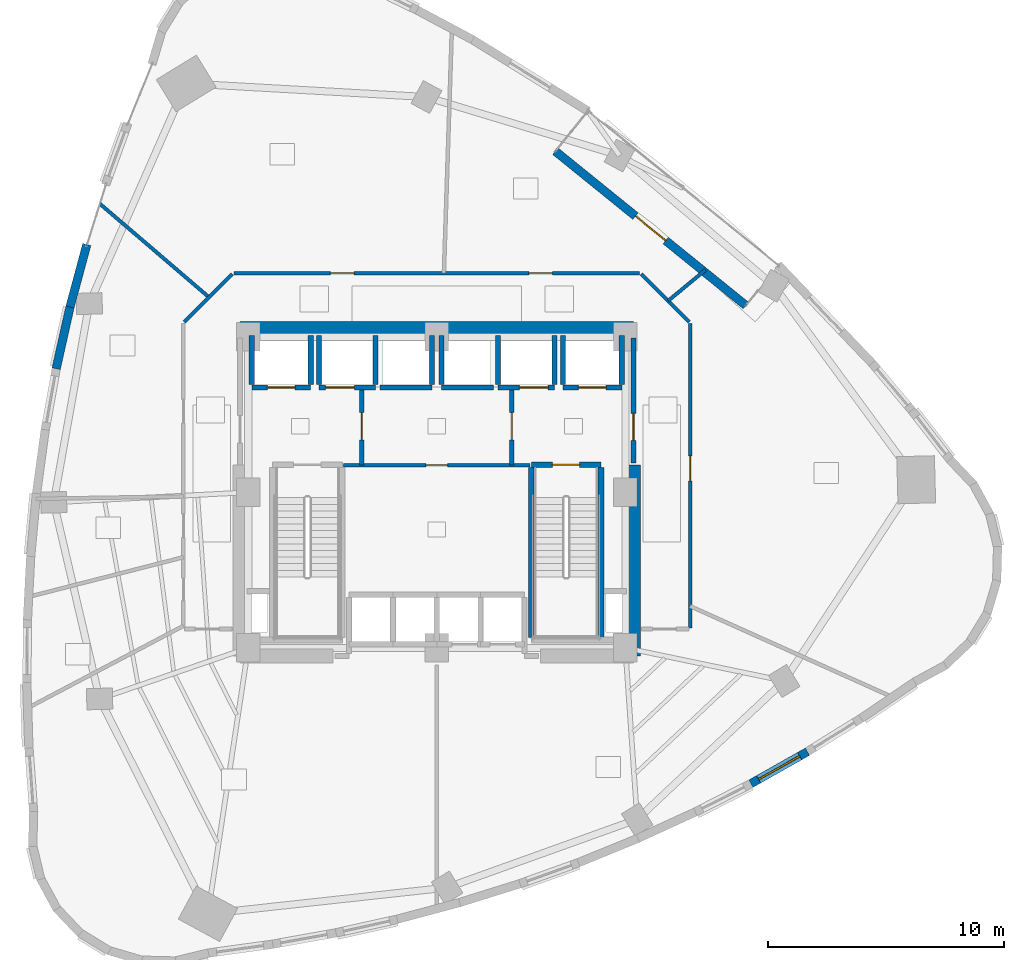
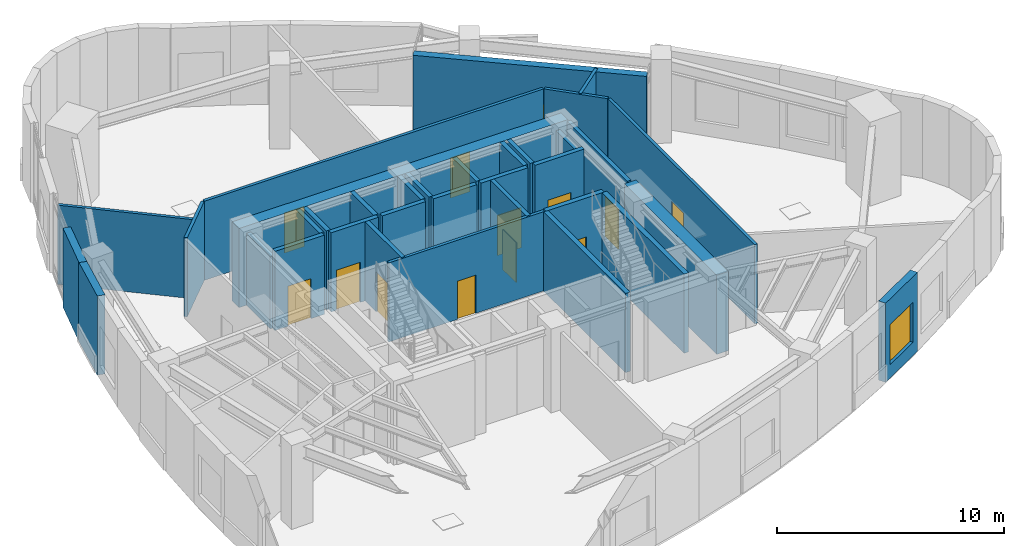
# One storey, part 12 of 16: 35 walls, 13 doors, 1 window, 14 openings.
"""IFC4 building model written with IfcOpenShell, lengths in metres."""

from ifc_helpers import new_model, si_unit, direction, frame, frame_2d, origin, place, context, subcontext, project, spatial, rectangle, extrude, material, layer, layer_set, type_object, element, fill, save


model = new_model("IFC4")

# Units and contexts
model_context = context("Model", 3, precision=1e-05, world=origin(), true_north=direction((0.0, 1.0)))
body_context = subcontext(model_context, "Body", "Model", "MODEL_VIEW")
ifc_project = project(units=[si_unit("LENGTHUNIT", "METRE"), si_unit("AREAUNIT", "SQUARE_METRE"), si_unit("VOLUMEUNIT", "CUBIC_METRE"), si_unit("PLANEANGLEUNIT", "RADIAN"), si_unit("MASSUNIT", "GRAM", prefix="KILO")], contexts=[model_context])

# Site, building, storey
site_placement = place(None, origin())
site = spatial("IfcSite", under=ifc_project, at=site_placement, CompositionType="ELEMENT")
building_placement = place(site_placement, origin())
building = spatial("IfcBuilding", under=site, at=building_placement, Name="Ndelora Gate Hotel", CompositionType="ELEMENT")
storey_placement = place(building_placement, frame((0.0, 0.0, 92.75)))
storey = spatial("IfcBuildingStorey", under=building, at=storey_placement, Name="L22", CompositionType="ELEMENT", Elevation=92.75)

# Wall, opening, door
ifc_material_1 = material(Name="Clay Brick Masonry", Category="masonry")
ifc_layer_1 = layer(ifc_material_1, 0.360107421875)
ifc_layer_set_1 = layer_set([ifc_layer_1], Name="Clay Brick Masonry")
wall_type_1 = type_object("IfcWallType", Name="WL-BRICK-360", PredefinedType="SOLIDWALL", material=ifc_layer_set_1)
wall_1_placement = place(storey_placement, frame((5.031005859375, 14.4755859375, 0.0), z_axis=(0.0, 0.0, 1.0), x_axis=(0.777144818157, -0.629321802905, 0.0)))
wall_1 = element("IfcWall", 1, at=wall_1_placement, inside=storey, type_object=wall_type_1, Name="L22 Sky-Garden Loggia Rear Brick Wall", PredefinedType="SOLIDWALL", context=body_context, shape_type="SweptSolid", body=[
    extrude(rectangle(XDim=10.39990234375, YDim=0.360107421875, at=frame_2d((5.199951171875, 0.0))), origin(), (0.0, 0.0, 1.0), 4.25),
])
opening_1_placement = place(wall_1_placement, frame((4.375, 0.0, 0.0)))
opening_1 = element("IfcOpeningElement", 2, at=opening_1_placement, cuts=wall_1, Name="Opening TD1", PredefinedType="OPENING", context=body_context, shape_type="SweptSolid", body=[
    extrude(rectangle(XDim=1.64990234375, YDim=2.25, at=frame_2d((0.824951171875, 1.125))), frame((0.0, 0.18994140625, 0.0), z_axis=(0.0, -1.0, 0.0), x_axis=(1.0, 0.0, 0.0)), (0.0, 0.0, 1.0), 0.380126953125),
])
ifc_material_2 = material(Name="Architectural Bronze Glazed Door", Category="metal")
door_type_1 = type_object("IfcDoorType", Name="DR-TER-1650", OperationType="DOUBLE_DOOR_SINGLE_SWING", PredefinedType="DOOR", material=ifc_material_2)
door_1_placement = place(opening_1_placement, origin())
door_1 = element("IfcDoor", 3, at=door_1_placement, inside=storey, type_object=door_type_1, Name="L22 Sky-Garden Terrace Double Door TD1", OperationType="DOUBLE_DOOR_SINGLE_SWING", OverallHeight=2.25, OverallWidth=1.64990234375, PredefinedType="DOOR", context=body_context, shape_type="SweptSolid", body=[
    extrude(rectangle(XDim=1.64990234375, YDim=2.25, at=frame_2d((0.824951171875, 1.125))), frame((0.0, 0.02490234375, 0.0), z_axis=(0.0, -1.0, 0.0), x_axis=(1.0, 0.0, 0.0)), (0.0, 0.0, 1.0), 0.050048828125),
])
fill(opening_1, door_1)

# Walls
wall_2_placement = place(storey_placement, frame((-15.56640625, 7.864990234375, 0.0), z_axis=(0.0, 0.0, 1.0), x_axis=(0.259976664172, 0.965614899474, 0.0)))
element("IfcWall", 4, at=wall_2_placement, inside=storey, type_object=wall_type_1, Name="L22 Tower Brick Pier-and-Spandrel Wall TWR-12", PredefinedType="SOLIDWALL", context=body_context, shape_type="SweptSolid", body=[
    extrude(rectangle(XDim=2.743896484375, YDim=0.360107421875, at=frame_2d((1.3720703125, 0.0))), origin(), (0.0, 0.0, 1.0), 4.25),
])
wall_3_placement = place(storey_placement, frame((-16.153076171875, 5.24560546875, 0.0), z_axis=(0.0, 0.0, 1.0), x_axis=(0.219019260065, 0.975720535666, 0.0)))
element("IfcWall", 5, at=wall_3_placement, inside=storey, type_object=wall_type_1, Name="L22 Tower Brick Pier-and-Spandrel Wall TWR-13", PredefinedType="SOLIDWALL", context=body_context, shape_type="SweptSolid", body=[
    extrude(rectangle(XDim=2.734375, YDim=0.360107421875, at=frame_2d((1.3671875, 0.0))), origin(), (0.0, 0.0, 1.0), 4.25),
])

# Wall, opening, window
wall_4_placement = place(storey_placement, frame((15.730712890625, -11.00927734375, 0.0), z_axis=(0.0, 0.0, 1.0), x_axis=(-0.870678208182, -0.491853085582, 0.0)))
wall_4 = element("IfcWall", 6, at=wall_4_placement, inside=storey, type_object=wall_type_1, Name="L22 Tower Brick Pier-and-Spandrel Wall TWR-38", PredefinedType="SOLIDWALL", context=body_context, shape_type="SweptSolid", body=[
    extrude(rectangle(XDim=2.75830078125, YDim=0.360107421875, at=frame_2d((1.379150390625, 0.0))), origin(), (0.0, 0.0, 1.0), 4.25),
])
opening_2_placement = place(wall_4_placement, frame((0.379150390625, 0.0, 0.719970703125)))
opening_2 = element("IfcOpeningElement", 7, at=opening_2_placement, cuts=wall_4, Name="Opening W05", PredefinedType="OPENING", context=body_context, shape_type="SweptSolid", body=[
    extrude(rectangle(XDim=2.0, YDim=2.14990234375, at=frame_2d((1.0, 1.074951171875))), frame((0.0, 0.18994140625, 0.0), z_axis=(0.0, -1.0, 0.0), x_axis=(1.0, 0.0, 0.0)), (0.0, 0.0, 1.0), 0.380126953125),
])
ifc_material_3 = material(Name="Insulated Low-E Double Glazing in Bronze Aluminium Frame", Category="aluminium")
window_type = type_object("IfcWindowType", Name="WN-SKY-2000", PartitioningType="SINGLE_PANEL", PredefinedType="WINDOW", material=ifc_material_3)
window_placement = place(opening_2_placement, origin())
window = element("IfcWindow", 8, at=window_placement, inside=storey, type_object=window_type, Name="L22 Deep-Set Brick-Pier Window W05", OverallHeight=2.14990234375, OverallWidth=2.0, PartitioningType="SINGLE_PANEL", PredefinedType="WINDOW", context=body_context, shape_type="SweptSolid", body=[
    extrude(rectangle(XDim=2.0, YDim=2.14990234375, at=frame_2d((1.0, 1.074951171875))), frame((0.0, 0.030029296875, 0.0), z_axis=(0.0, -1.0, 0.0), x_axis=(1.0, 0.0, 0.0)), (0.0, 0.0, 1.0), 0.06005859375),
])
fill(opening_2, window)

# Walls
ifc_material_4 = material(Name="Concrete C60/75", Category="concrete")
ifc_layer_2 = layer(ifc_material_4, 0.60009765625)
ifc_layer_set_2 = layer_set([ifc_layer_2], Name="Concrete C60/75")
wall_type_2 = type_object("IfcWallType", Name="WL-CORE-600", PredefinedType="SHEAR", material=ifc_layer_set_2)
wall_5_placement = place(storey_placement, frame((-8.35009765625, 6.949951171875, 0.0), z_axis=(0.0, 0.0, 1.0), x_axis=(1.0, 0.0, 0.0)))
element("IfcWall", 9, at=wall_5_placement, inside=storey, type_object=wall_type_2, Name="L22 Core Shear Wall N", PredefinedType="SHEAR", context=body_context, shape_type="SweptSolid", body=[
    extrude(rectangle(XDim=16.7001953125, YDim=0.60009765625, at=frame_2d((8.35009765625, 0.0))), origin(), (0.0, 0.0, 1.0), 4.25),
])
wall_6_placement = place(storey_placement, frame((8.35009765625, -6.949951171875, 0.0), z_axis=(0.0, 0.0, 1.0), x_axis=(0.0, 1.0, 0.0)))
element("IfcWall", 10, at=wall_6_placement, inside=storey, type_object=wall_type_2, Name="L22 Core Shear Wall E", PredefinedType="SHEAR", context=body_context, shape_type="SweptSolid", body=[
    extrude(rectangle(XDim=8.099853515625, YDim=0.60009765625, at=frame_2d((4.0498046875, 0.0))), origin(), (0.0, 0.0, 1.0), 4.25),
])

# Wall, opening, door
ifc_material_5 = material(Name="Concrete C40/50", Category="concrete")
ifc_layer_3 = layer(ifc_material_5, 0.199951171875)
ifc_layer_set_3 = layer_set([ifc_layer_3], Name="Concrete C40/50")
wall_type_3 = type_object("IfcWallType", Name="WL-FIRE-200", PredefinedType="PARTITIONING", material=ifc_layer_set_3)
wall_7_placement = place(storey_placement, frame((-3.179931640625, 1.14990234375, 0.0), z_axis=(0.0, 0.0, 1.0), x_axis=(0.0, 1.0, 0.0)))
wall_7 = element("IfcWall", 11, at=wall_7_placement, inside=storey, type_object=wall_type_3, Name="L22 Interior Wall IW-2", PredefinedType="PARTITIONING", context=body_context, shape_type="SweptSolid", body=[
    extrude(rectangle(XDim=3.300048828125, YDim=0.199951171875, at=frame_2d((1.64990234375, 0.0))), origin(), (0.0, 0.0, 1.0), 4.25),
])
opening_3_placement = place(wall_7_placement, frame((1.080078125, 0.0, 0.0)))
opening_3 = element("IfcOpeningElement", 12, at=opening_3_placement, cuts=wall_7, Name="Opening FD1", PredefinedType="OPENING", context=body_context, shape_type="SweptSolid", body=[
    extrude(rectangle(XDim=1.14990234375, YDim=2.14990234375, at=frame_2d((0.574951171875, 1.074951171875))), frame((0.0, 0.10986328125, 0.0), z_axis=(0.0, -1.0, 0.0), x_axis=(1.0, 0.0, 0.0)), (0.0, 0.0, 1.0), 0.219970703125),
])
ifc_material_6 = material(Name="Fire-Rated Timber-Veneer Steel Core", Category="steel")
door_type_2 = type_object("IfcDoorType", Name="DR-FD60", OperationType="SINGLE_SWING_LEFT", PredefinedType="DOOR", material=ifc_material_6)
door_2_placement = place(opening_3_placement, origin())
door_2 = element("IfcDoor", 13, at=door_2_placement, inside=storey, type_object=door_type_2, Name="L22 Firefighting Lobby West Door", OperationType="SINGLE_SWING_RIGHT", OverallHeight=2.14990234375, OverallWidth=1.14990234375, PredefinedType="DOOR", context=body_context, shape_type="SweptSolid", body=[
    extrude(rectangle(XDim=1.14990234375, YDim=2.14990234375, at=frame_2d((0.574951171875, 1.074951171875))), frame((0.0, 0.02490234375, 0.0), z_axis=(0.0, -1.0, 0.0), x_axis=(1.0, 0.0, 0.0)), (0.0, 0.0, 1.0), 0.050048828125),
])
fill(opening_3, door_2)

wall_8_placement = place(storey_placement, frame((3.179931640625, 1.14990234375, 0.0), z_axis=(0.0, 0.0, 1.0), x_axis=(0.0, 1.0, 0.0)))
wall_8 = element("IfcWall", 14, at=wall_8_placement, inside=storey, type_object=wall_type_3, Name="L22 Interior Wall IW-2", PredefinedType="PARTITIONING", context=body_context, shape_type="SweptSolid", body=[
    extrude(rectangle(XDim=3.300048828125, YDim=0.199951171875, at=frame_2d((1.64990234375, 0.0))), origin(), (0.0, 0.0, 1.0), 4.25),
])
opening_4_placement = place(wall_8_placement, frame((1.080078125, 0.0, 0.0)))
opening_4 = element("IfcOpeningElement", 15, at=opening_4_placement, cuts=wall_8, Name="Opening FD1", PredefinedType="OPENING", context=body_context, shape_type="SweptSolid", body=[
    extrude(rectangle(XDim=1.14990234375, YDim=2.14990234375, at=frame_2d((0.574951171875, 1.074951171875))), frame((0.0, 0.10986328125, 0.0), z_axis=(0.0, -1.0, 0.0), x_axis=(1.0, 0.0, 0.0)), (0.0, 0.0, 1.0), 0.219970703125),
])
door_3_placement = place(opening_4_placement, origin())
door_3 = element("IfcDoor", 16, at=door_3_placement, inside=storey, type_object=door_type_2, Name="L22 Firefighting Lobby East Door", OperationType="SINGLE_SWING_LEFT", OverallHeight=2.14990234375, OverallWidth=1.14990234375, PredefinedType="DOOR", context=body_context, shape_type="SweptSolid", body=[
    extrude(rectangle(XDim=1.14990234375, YDim=2.14990234375, at=frame_2d((0.574951171875, 1.074951171875))), frame((0.0, 0.02490234375, 0.0), z_axis=(0.0, -1.0, 0.0), x_axis=(1.0, 0.0, 0.0)), (0.0, 0.0, 1.0), 0.050048828125),
])
fill(opening_4, door_3)

wall_9_placement = place(storey_placement, frame((8.35009765625, 1.25, 0.0), z_axis=(0.0, 0.0, 1.0), x_axis=(0.0, 1.0, 0.0)))
wall_9 = element("IfcWall", 17, at=wall_9_placement, inside=storey, type_object=wall_type_3, Name="L22 Interior Wall IW-2", PredefinedType="PARTITIONING", context=body_context, shape_type="SweptSolid", body=[
    extrude(rectangle(XDim=5.300048828125, YDim=0.199951171875, at=frame_2d((2.64990234375, 0.0))), origin(), (0.0, 0.0, 1.0), 4.25),
])
opening_5_placement = place(wall_9_placement, frame((0.949951171875, 0.0, 0.0)))
opening_5 = element("IfcOpeningElement", 18, at=opening_5_placement, cuts=wall_9, Name="Opening FD1", PredefinedType="OPENING", context=body_context, shape_type="SweptSolid", body=[
    extrude(rectangle(XDim=1.14990234375, YDim=2.14990234375, at=frame_2d((0.574951171875, 1.074951171875))), frame((0.0, 0.10986328125, 0.0), z_axis=(0.0, -1.0, 0.0), x_axis=(1.0, 0.0, 0.0)), (0.0, 0.0, 1.0), 0.219970703125),
])
door_4_placement = place(opening_5_placement, origin())
door_4 = element("IfcDoor", 19, at=door_4_placement, inside=storey, type_object=door_type_2, Name="L22 Firefighting Lobby East Corridor Door", OperationType="SINGLE_SWING_RIGHT", OverallHeight=2.14990234375, OverallWidth=1.14990234375, PredefinedType="DOOR", context=body_context, shape_type="SweptSolid", body=[
    extrude(rectangle(XDim=1.14990234375, YDim=2.14990234375, at=frame_2d((0.574951171875, 1.074951171875))), frame((0.0, 0.02490234375, 0.0), z_axis=(0.0, -1.0, 0.0), x_axis=(1.0, 0.0, 0.0)), (0.0, 0.0, 1.0), 0.050048828125),
])
fill(opening_5, door_4)

ifc_material_7 = material(Name="Fire-Rated Gypsum Stud Partition", Category="gypsum")
ifc_layer_4 = layer(ifc_material_7, 0.14990234375)
ifc_layer_set_4 = layer_set([ifc_layer_4], Name="Fire-Rated Gypsum Stud Partition")
wall_type_4 = type_object("IfcWallType", Name="WL-PART-150", PredefinedType="PARTITIONING", material=ifc_layer_set_4)
wall_10_placement = place(storey_placement, frame((3.949951171875, 1.14990234375, 0.0), z_axis=(0.0, 0.0, 1.0), x_axis=(-1.0, 0.0, 0.0)))
wall_10 = element("IfcWall", 20, at=wall_10_placement, inside=storey, type_object=wall_type_4, Name="L22 Interior Wall IW-5", PredefinedType="PARTITIONING", context=body_context, shape_type="SweptSolid", body=[
    extrude(rectangle(XDim=7.89990234375, YDim=0.14990234375, at=frame_2d((3.949951171875, 0.0))), origin(), (0.0, 0.0, 1.0), 4.25),
])
opening_6_placement = place(wall_10_placement, frame((3.489990234375, 0.0, 0.0)))
opening_6 = element("IfcOpeningElement", 21, at=opening_6_placement, cuts=wall_10, Name="Opening D04", PredefinedType="OPENING", context=body_context, shape_type="SweptSolid", body=[
    extrude(rectangle(XDim=0.919921875, YDim=2.050048828125, at=frame_2d((0.4599609375, 1.02490234375))), frame((0.0, 0.0849609375, 0.0), z_axis=(0.0, -1.0, 0.0), x_axis=(1.0, 0.0, 0.0)), (0.0, 0.0, 1.0), 0.169921875),
])
ifc_material_8 = material(Name="Painted Steel Core Service Door", Category="steel")
door_type_3 = type_object("IfcDoorType", Name="DR-SER-920", OperationType="SINGLE_SWING_LEFT", PredefinedType="DOOR", material=ifc_material_8)
door_5_placement = place(opening_6_placement, origin())
door_5 = element("IfcDoor", 22, at=door_5_placement, inside=storey, type_object=door_type_3, Name="L22 Core Electrical and Linen Service Store Door", OperationType="SINGLE_SWING_LEFT", OverallHeight=2.050048828125, OverallWidth=0.919921875, PredefinedType="DOOR", context=body_context, shape_type="SweptSolid", body=[
    extrude(rectangle(XDim=0.919921875, YDim=2.050048828125, at=frame_2d((0.4599609375, 1.02490234375))), frame((0.0, 0.02490234375, 0.0), z_axis=(0.0, -1.0, 0.0), x_axis=(1.0, 0.0, 0.0)), (0.0, 0.0, 1.0), 0.050048828125),
])
fill(opening_6, door_5)

wall_11_placement = place(storey_placement, frame((10.75, 7.159912109375, 0.0), z_axis=(0.0, 0.0, 1.0), x_axis=(0.0, -1.0, 0.0)))
wall_11 = element("IfcWall", 23, at=wall_11_placement, inside=storey, type_object=wall_type_4, Name="L22 Interior Wall IW-5", PredefinedType="PARTITIONING", context=body_context, shape_type="SweptSolid", body=[
    extrude(rectangle(XDim=12.919921875, YDim=0.14990234375, at=frame_2d((6.4599609375, 0.0))), origin(), (0.0, 0.0, 1.0), 4.25),
])
opening_7_placement = place(wall_11_placement, frame((5.61328125, 0.0, 0.0)))
opening_7 = element("IfcOpeningElement", 24, at=opening_7_placement, cuts=wall_11, Name="Opening D07", PredefinedType="OPENING", context=body_context, shape_type="SweptSolid", body=[
    extrude(rectangle(XDim=1.06005859375, YDim=2.14990234375, at=frame_2d((0.530029296875, 1.074951171875))), frame((0.0, 0.0849609375, 0.0), z_axis=(0.0, -1.0, 0.0), x_axis=(1.0, 0.0, 0.0)), (0.0, 0.0, 1.0), 0.169921875),
])
ifc_material_9 = material(Name="Diplomatic Suite Acoustic Entrance Door", Category="wood")
door_type_4 = type_object("IfcDoorType", Name="DR-SUITE-1060", OperationType="SINGLE_SWING_LEFT", PredefinedType="DOOR", material=ifc_material_9)
door_6_placement = place(opening_7_placement, origin())
door_6 = element("IfcDoor", 25, at=door_6_placement, inside=storey, type_object=door_type_4, Name="L22 Aromatherapy Thermal Treatment Suite Entrance Door", OperationType="SINGLE_SWING_RIGHT", OverallHeight=2.14990234375, OverallWidth=1.06005859375, PredefinedType="DOOR", context=body_context, shape_type="SweptSolid", body=[
    extrude(rectangle(XDim=1.06005859375, YDim=2.14990234375, at=frame_2d((0.530029296875, 1.074951171875))), frame((0.0, 0.02490234375, 0.0), z_axis=(0.0, -1.0, 0.0), x_axis=(1.0, 0.0, 0.0)), (0.0, 0.0, 1.0), 0.050048828125),
])
fill(opening_7, door_6)

# Wall
wall_12_placement = place(storey_placement, frame((8.67822265625, 9.271728515625, 0.0), z_axis=(0.0, 0.0, 1.0), x_axis=(0.707106781187, -0.707106781187, 0.0)))
element("IfcWall", 26, at=wall_12_placement, inside=storey, type_object=wall_type_4, Name="L22 Interior Wall IW-5", PredefinedType="PARTITIONING", context=body_context, shape_type="SweptSolid", body=[
    extrude(rectangle(XDim=2.889892578125, YDim=0.14990234375, at=frame_2d((1.44482421875, 0.0))), origin(), (0.0, 0.0, 1.0), 4.25),
])

# Wall, openings, doors
wall_13_placement = place(storey_placement, frame((-8.610107421875, 9.300048828125, 0.0), z_axis=(0.0, 0.0, 1.0), x_axis=(1.0, 0.0, 0.0)))
wall_13 = element("IfcWall", 27, at=wall_13_placement, inside=storey, type_object=wall_type_4, Name="L22 Interior Wall IW-5", PredefinedType="PARTITIONING", context=body_context, shape_type="SweptSolid", body=[
    extrude(rectangle(XDim=17.22021484375, YDim=0.14990234375, at=frame_2d((8.610107421875, 0.0))), origin(), (0.0, 0.0, 1.0), 4.25),
])
opening_8_placement = place(wall_13_placement, frame((12.516357421875, 0.0, 0.0)))
opening_8 = element("IfcOpeningElement", 28, at=opening_8_placement, cuts=wall_13, Name="Opening D01", PredefinedType="OPENING", context=body_context, shape_type="SweptSolid", body=[
    extrude(rectangle(XDim=1.0, YDim=2.14990234375, at=frame_2d((0.5, 1.074951171875))), frame((0.0, 0.0849609375, 0.0), z_axis=(0.0, -1.0, 0.0), x_axis=(1.0, 0.0, 0.0)), (0.0, 0.0, 1.0), 0.169921875),
])
opening_9_placement = place(wall_13_placement, frame((4.09619140625, 0.0, 0.0)))
opening_9 = element("IfcOpeningElement", 29, at=opening_9_placement, cuts=wall_13, Name="Opening D01", PredefinedType="OPENING", context=body_context, shape_type="SweptSolid", body=[
    extrude(rectangle(XDim=1.0, YDim=2.14990234375, at=frame_2d((0.5, 1.074951171875))), frame((0.0, 0.0849609375, 0.0), z_axis=(0.0, -1.0, 0.0), x_axis=(1.0, 0.0, 0.0)), (0.0, 0.0, 1.0), 0.169921875),
])
ifc_material_10 = material(Name="Acoustic Hardwood Guest Entrance Door", Category="wood")
door_type_5 = type_object("IfcDoorType", Name="DR-COR-1000", OperationType="SINGLE_SWING_LEFT", PredefinedType="DOOR", material=ifc_material_10)
door_7_placement = place(opening_8_placement, origin())
door_7 = element("IfcDoor", 30, at=door_7_placement, inside=storey, type_object=door_type_5, Name="L22 Sky Garden Tea Dining Room Entrance Door", OperationType="SINGLE_SWING_LEFT", OverallHeight=2.14990234375, OverallWidth=1.0, PredefinedType="DOOR", context=body_context, shape_type="SweptSolid", body=[
    extrude(rectangle(XDim=1.0, YDim=2.14990234375, at=frame_2d((0.5, 1.074951171875))), frame((0.0, 0.02490234375, 0.0), z_axis=(0.0, -1.0, 0.0), x_axis=(1.0, 0.0, 0.0)), (0.0, 0.0, 1.0), 0.050048828125),
])
fill(opening_8, door_7)
door_8_placement = place(opening_9_placement, origin())
door_8 = element("IfcDoor", 31, at=door_8_placement, inside=storey, type_object=door_type_5, Name="L22 Sauna and Wellness Gym Entrance Door", OperationType="SINGLE_SWING_LEFT", OverallHeight=2.14990234375, OverallWidth=1.0, PredefinedType="DOOR", context=body_context, shape_type="SweptSolid", body=[
    extrude(rectangle(XDim=1.0, YDim=2.14990234375, at=frame_2d((0.5, 1.074951171875))), frame((0.0, 0.02490234375, 0.0), z_axis=(0.0, -1.0, 0.0), x_axis=(1.0, 0.0, 0.0)), (0.0, 0.0, 1.0), 0.050048828125),
])
fill(opening_9, door_8)

# Walls
wall_14_placement = place(storey_placement, frame((-10.7216796875, 7.228271484375, 0.0), z_axis=(0.0, 0.0, 1.0), x_axis=(0.707106781187, 0.707106781187, 0.0)))
element("IfcWall", 32, at=wall_14_placement, inside=storey, type_object=wall_type_4, Name="L22 Interior Wall IW-5", PredefinedType="PARTITIONING", context=body_context, shape_type="SweptSolid", body=[
    extrude(rectangle(XDim=2.889892578125, YDim=0.14990234375, at=frame_2d((1.44482421875, 0.0))), origin(), (0.0, 0.0, 1.0), 4.25),
])
wall_15_placement = place(storey_placement, frame((9.8212890625, 8.128662109375, 0.0), z_axis=(0.0, 0.0, 1.0), x_axis=(0.770372154274, 0.637594498031, 0.0)))
element("IfcWall", 33, at=wall_15_placement, inside=storey, type_object=wall_type_4, Name="L22 Interior Wall IW-5", PredefinedType="PARTITIONING", context=body_context, shape_type="SweptSolid", body=[
    extrude(rectangle(XDim=2.052001953125, YDim=0.14990234375, at=frame_2d((1.02587890625, 0.0))), origin(), (0.0, 0.0, 1.0), 4.25),
])
wall_16_placement = place(storey_placement, frame((-9.6689453125, 8.281005859375, 0.0), z_axis=(0.0, 0.0, 1.0), x_axis=(-0.75949368275, 0.650514677669, 0.0)))
element("IfcWall", 34, at=wall_16_placement, inside=storey, type_object=wall_type_4, Name="L22 Interior Wall IW-5", PredefinedType="PARTITIONING", context=body_context, shape_type="SweptSolid", body=[
    extrude(rectangle(XDim=6.104736328125, YDim=0.14990234375, at=frame_2d((3.05224609375, 0.0))), origin(), (0.0, 0.0, 1.0), 4.25),
])

# Wall, opening, door
ifc_layer_5 = layer(ifc_material_5, 0.219970703125)
ifc_layer_set_5 = layer_set([ifc_layer_5], Name="Concrete C40/50")
wall_type_5 = type_object("IfcWallType", Name="WL-SHAFT-220", PredefinedType="PARTITIONING", material=ifc_layer_set_5)
wall_17_placement = place(storey_placement, frame((-7.85009765625, 4.449951171875, 0.0), z_axis=(0.0, 0.0, 1.0), x_axis=(1.0, 0.0, 0.0)))
wall_17 = element("IfcWall", 35, at=wall_17_placement, inside=storey, type_object=wall_type_5, Name="L22 Interior Wall IW-1", PredefinedType="PARTITIONING", context=body_context, shape_type="SweptSolid", body=[
    extrude(rectangle(XDim=2.5, YDim=0.219970703125, at=frame_2d((1.25, 0.0))), origin(), (0.0, 0.0, 1.0), 4.25),
])
opening_10_placement = place(wall_17_placement, frame((0.659912109375, 0.0, 0.0)))
opening_10 = element("IfcOpeningElement", 36, at=opening_10_placement, cuts=wall_17, Name="Opening LD5", PredefinedType="OPENING", context=body_context, shape_type="SweptSolid", body=[
    extrude(rectangle(XDim=1.179931640625, YDim=2.14990234375, at=frame_2d((0.58984375, 1.074951171875))), frame((0.0, 0.1201171875, 0.0), z_axis=(0.0, -1.0, 0.0), x_axis=(1.0, 0.0, 0.0)), (0.0, 0.0, 1.0), 0.239990234375),
])
ifc_material_11 = material(Name="Firefighting Lift Stainless Sliding Landing Door", Category="metal")
door_type_6 = type_object("IfcDoorType", Name="DR-LD5", OperationType="DOUBLE_DOOR_SLIDING", PredefinedType="DOOR", material=ifc_material_11)
door_9_placement = place(opening_10_placement, origin())
door_9 = element("IfcDoor", 37, at=door_9_placement, inside=storey, type_object=door_type_6, Name="L22 Lift Landing Sliding Door FFL1", OperationType="DOUBLE_DOOR_SLIDING", OverallHeight=2.14990234375, OverallWidth=1.179931640625, PredefinedType="DOOR", context=body_context, shape_type="SweptSolid", body=[
    extrude(rectangle(XDim=1.179931640625, YDim=2.14990234375, at=frame_2d((0.58984375, 1.074951171875))), frame((0.0, 0.02490234375, 0.0), z_axis=(0.0, -1.0, 0.0), x_axis=(1.0, 0.0, 0.0)), (0.0, 0.0, 1.0), 0.050048828125),
])
fill(opening_10, door_9)

# Walls
wall_18_placement = place(storey_placement, frame((-7.85009765625, 4.570068359375, 0.0), z_axis=(0.0, 0.0, 1.0), x_axis=(0.0, 1.0, 0.0)))
element("IfcWall", 38, at=wall_18_placement, inside=storey, type_object=wall_type_5, Name="L22 Interior Wall IW-1", PredefinedType="PARTITIONING", context=body_context, shape_type="SweptSolid", body=[
    extrude(rectangle(XDim=2.079833984375, YDim=0.219970703125, at=frame_2d((1.0400390625, 0.0))), origin(), (0.0, 0.0, 1.0), 3.8701171875),
])
wall_19_placement = place(storey_placement, frame((-5.35009765625, 4.570068359375, 0.0), z_axis=(0.0, 0.0, 1.0), x_axis=(0.0, 1.0, 0.0)))
element("IfcWall", 39, at=wall_19_placement, inside=storey, type_object=wall_type_5, Name="L22 Interior Wall IW-1", PredefinedType="PARTITIONING", context=body_context, shape_type="SweptSolid", body=[
    extrude(rectangle(XDim=2.079833984375, YDim=0.219970703125, at=frame_2d((1.0400390625, 0.0))), origin(), (0.0, 0.0, 1.0), 4.25),
])

# Wall, opening, door
wall_20_placement = place(storey_placement, frame((5.35009765625, 4.449951171875, 0.0), z_axis=(0.0, 0.0, 1.0), x_axis=(1.0, 0.0, 0.0)))
wall_20 = element("IfcWall", 40, at=wall_20_placement, inside=storey, type_object=wall_type_5, Name="L22 Interior Wall IW-1", PredefinedType="PARTITIONING", context=body_context, shape_type="SweptSolid", body=[
    extrude(rectangle(XDim=2.5, YDim=0.219970703125, at=frame_2d((1.25, 0.0))), origin(), (0.0, 0.0, 1.0), 4.25),
])
opening_11_placement = place(wall_20_placement, frame((0.659912109375, 0.0, 0.0)))
opening_11 = element("IfcOpeningElement", 41, at=opening_11_placement, cuts=wall_20, Name="Opening LD5", PredefinedType="OPENING", context=body_context, shape_type="SweptSolid", body=[
    extrude(rectangle(XDim=1.179931640625, YDim=2.14990234375, at=frame_2d((0.58984375, 1.074951171875))), frame((0.0, 0.1201171875, 0.0), z_axis=(0.0, -1.0, 0.0), x_axis=(1.0, 0.0, 0.0)), (0.0, 0.0, 1.0), 0.239990234375),
])
door_10_placement = place(opening_11_placement, origin())
door_10 = element("IfcDoor", 42, at=door_10_placement, inside=storey, type_object=door_type_6, Name="L22 Lift Landing Sliding Door FFL2", OperationType="DOUBLE_DOOR_SLIDING", OverallHeight=2.14990234375, OverallWidth=1.179931640625, PredefinedType="DOOR", context=body_context, shape_type="SweptSolid", body=[
    extrude(rectangle(XDim=1.179931640625, YDim=2.14990234375, at=frame_2d((0.58984375, 1.074951171875))), frame((0.0, 0.02490234375, 0.0), z_axis=(0.0, -1.0, 0.0), x_axis=(1.0, 0.0, 0.0)), (0.0, 0.0, 1.0), 0.050048828125),
])
fill(opening_11, door_10)

# Walls
wall_21_placement = place(storey_placement, frame((5.35009765625, 4.570068359375, 0.0), z_axis=(0.0, 0.0, 1.0), x_axis=(0.0, 1.0, 0.0)))
element("IfcWall", 43, at=wall_21_placement, inside=storey, type_object=wall_type_5, Name="L22 Interior Wall IW-1", PredefinedType="PARTITIONING", context=body_context, shape_type="SweptSolid", body=[
    extrude(rectangle(XDim=2.079833984375, YDim=0.219970703125, at=frame_2d((1.0400390625, 0.0))), origin(), (0.0, 0.0, 1.0), 4.25),
])
wall_22_placement = place(storey_placement, frame((7.85009765625, 4.570068359375, 0.0), z_axis=(0.0, 0.0, 1.0), x_axis=(0.0, 1.0, 0.0)))
element("IfcWall", 44, at=wall_22_placement, inside=storey, type_object=wall_type_5, Name="L22 Interior Wall IW-1", PredefinedType="PARTITIONING", context=body_context, shape_type="SweptSolid", body=[
    extrude(rectangle(XDim=2.079833984375, YDim=0.219970703125, at=frame_2d((1.0400390625, 0.0))), origin(), (0.0, 0.0, 1.0), 3.8701171875),
])

# Wall, opening, door
wall_23_placement = place(storey_placement, frame((-5.0, 4.449951171875, 0.0), z_axis=(0.0, 0.0, 1.0), x_axis=(1.0, 0.0, 0.0)))
wall_23 = element("IfcWall", 45, at=wall_23_placement, inside=storey, type_object=wall_type_5, Name="L22 Interior Wall IW-1", PredefinedType="PARTITIONING", context=body_context, shape_type="SweptSolid", body=[
    extrude(rectangle(XDim=2.39990234375, YDim=0.219970703125, at=frame_2d((1.199951171875, 0.0))), origin(), (0.0, 0.0, 1.0), 4.25),
])
opening_12_placement = place(wall_23_placement, frame((0.280029296875, 0.0, 0.0)))
opening_12 = element("IfcOpeningElement", 46, at=opening_12_placement, cuts=wall_23, Name="Opening LD6", PredefinedType="OPENING", context=body_context, shape_type="SweptSolid", body=[
    extrude(rectangle(XDim=1.219970703125, YDim=2.14990234375, at=frame_2d((0.60986328125, 1.074951171875))), frame((0.0, 0.1201171875, 0.0), z_axis=(0.0, -1.0, 0.0), x_axis=(1.0, 0.0, 0.0)), (0.0, 0.0, 1.0), 0.239990234375),
])
ifc_material_12 = material(Name="Heavy-Duty Service Lift Sliding Landing Door", Category="wood")
door_type_7 = type_object("IfcDoorType", Name="DR-LD6", OperationType="DOUBLE_DOOR_SLIDING", PredefinedType="DOOR", material=ifc_material_12)
door_11_placement = place(opening_12_placement, origin())
door_11 = element("IfcDoor", 47, at=door_11_placement, inside=storey, type_object=door_type_7, Name="L22 Lift Landing Sliding Door SVL1", OperationType="DOUBLE_DOOR_SLIDING", OverallHeight=2.14990234375, OverallWidth=1.219970703125, PredefinedType="DOOR", context=body_context, shape_type="SweptSolid", body=[
    extrude(rectangle(XDim=1.219970703125, YDim=2.14990234375, at=frame_2d((0.60986328125, 1.074951171875))), frame((0.0, 0.02490234375, 0.0), z_axis=(0.0, -1.0, 0.0), x_axis=(1.0, 0.0, 0.0)), (0.0, 0.0, 1.0), 0.050048828125),
])
fill(opening_12, door_11)

# Walls
for number, where, z_axis, x_axis, name in (
    (48, (-5.0, 4.570068359375, 0.0), (0.0, 0.0, 1.0), (0.0, 1.0, 0.0), "L22 Interior Wall IW-1"),
    (49, (-2.60009765625, 4.570068359375, 0.0), (0.0, 0.0, 1.0), (0.0, 1.0, 0.0), "L22 Interior Wall IW-1"),
):
    element("IfcWall", number, at=place(storey_placement, frame(where, z_axis=z_axis, x_axis=x_axis)), inside=storey, type_object=wall_type_5, Name=name, PredefinedType="PARTITIONING", context=body_context, shape_type="SweptSolid", body=[
        extrude(rectangle(XDim=2.079833984375, YDim=0.219970703125, at=frame_2d((1.0400390625, 0.0))), origin(), (0.0, 0.0, 1.0), 4.25),
    ])

# Wall, opening, door
wall_24_placement = place(storey_placement, frame((2.60009765625, 4.449951171875, 0.0), z_axis=(0.0, 0.0, 1.0), x_axis=(1.0, 0.0, 0.0)))
wall_24 = element("IfcWall", 50, at=wall_24_placement, inside=storey, type_object=wall_type_5, Name="L22 Interior Wall IW-1", PredefinedType="PARTITIONING", context=body_context, shape_type="SweptSolid", body=[
    extrude(rectangle(XDim=2.39990234375, YDim=0.219970703125, at=frame_2d((1.199951171875, 0.0))), origin(), (0.0, 0.0, 1.0), 4.25),
])
opening_13_placement = place(wall_24_placement, frame((0.89990234375, 0.0, 0.0)))
opening_13 = element("IfcOpeningElement", 51, at=opening_13_placement, cuts=wall_24, Name="Opening LD6", PredefinedType="OPENING", context=body_context, shape_type="SweptSolid", body=[
    extrude(rectangle(XDim=1.219970703125, YDim=2.14990234375, at=frame_2d((0.60986328125, 1.074951171875))), frame((0.0, 0.1201171875, 0.0), z_axis=(0.0, -1.0, 0.0), x_axis=(1.0, 0.0, 0.0)), (0.0, 0.0, 1.0), 0.239990234375),
])
door_12_placement = place(opening_13_placement, origin())
door_12 = element("IfcDoor", 52, at=door_12_placement, inside=storey, type_object=door_type_7, Name="L22 Lift Landing Sliding Door SVL2", OperationType="DOUBLE_DOOR_SLIDING", OverallHeight=2.14990234375, OverallWidth=1.219970703125, PredefinedType="DOOR", context=body_context, shape_type="SweptSolid", body=[
    extrude(rectangle(XDim=1.219970703125, YDim=2.14990234375, at=frame_2d((0.60986328125, 1.074951171875))), frame((0.0, 0.02490234375, 0.0), z_axis=(0.0, -1.0, 0.0), x_axis=(1.0, 0.0, 0.0)), (0.0, 0.0, 1.0), 0.050048828125),
])
fill(opening_13, door_12)

# Walls
for number, where, z_axis, x_axis, name in (
    (53, (2.60009765625, 4.570068359375, 0.0), (0.0, 0.0, 1.0), (0.0, 1.0, 0.0), "L22 Interior Wall IW-1"),
    (54, (5.0, 4.570068359375, 0.0), (0.0, 0.0, 1.0), (0.0, 1.0, 0.0), "L22 Interior Wall IW-1"),
):
    element("IfcWall", number, at=place(storey_placement, frame(where, z_axis=z_axis, x_axis=x_axis)), inside=storey, type_object=wall_type_5, Name=name, PredefinedType="PARTITIONING", context=body_context, shape_type="SweptSolid", body=[
        extrude(rectangle(XDim=2.079833984375, YDim=0.219970703125, at=frame_2d((1.0400390625, 0.0))), origin(), (0.0, 0.0, 1.0), 4.25),
    ])
wall_25_placement = place(storey_placement, frame((-2.39990234375, 4.449951171875, 0.0), z_axis=(0.0, 0.0, 1.0), x_axis=(1.0, 0.0, 0.0)))
element("IfcWall", 55, at=wall_25_placement, inside=storey, type_object=wall_type_5, Name="L22 Interior Wall IW-1", PredefinedType="PARTITIONING", context=body_context, shape_type="SweptSolid", body=[
    extrude(rectangle(XDim=2.199951171875, YDim=0.219970703125, at=frame_2d((1.10009765625, 0.0))), origin(), (0.0, 0.0, 1.0), 4.25),
])
wall_26_placement = place(storey_placement, frame((-0.199951171875, 4.570068359375, 0.0), z_axis=(0.0, 0.0, 1.0), x_axis=(0.0, 1.0, 0.0)))
element("IfcWall", 56, at=wall_26_placement, inside=storey, type_object=wall_type_5, Name="L22 Interior Wall IW-1", PredefinedType="PARTITIONING", context=body_context, shape_type="SweptSolid", body=[
    extrude(rectangle(XDim=2.079833984375, YDim=0.219970703125, at=frame_2d((1.0400390625, 0.0))), origin(), (0.0, 0.0, 1.0), 4.25),
])
wall_27_placement = place(storey_placement, frame((0.199951171875, 4.449951171875, 0.0), z_axis=(0.0, 0.0, 1.0), x_axis=(1.0, 0.0, 0.0)))
element("IfcWall", 57, at=wall_27_placement, inside=storey, type_object=wall_type_5, Name="L22 Interior Wall IW-1", PredefinedType="PARTITIONING", context=body_context, shape_type="SweptSolid", body=[
    extrude(rectangle(XDim=2.199951171875, YDim=0.219970703125, at=frame_2d((1.10009765625, 0.0))), origin(), (0.0, 0.0, 1.0), 4.25),
])
wall_28_placement = place(storey_placement, frame((0.199951171875, 4.570068359375, 0.0), z_axis=(0.0, 0.0, 1.0), x_axis=(0.0, 1.0, 0.0)))
element("IfcWall", 58, at=wall_28_placement, inside=storey, type_object=wall_type_5, Name="L22 Interior Wall IW-1", PredefinedType="PARTITIONING", context=body_context, shape_type="SweptSolid", body=[
    extrude(rectangle(XDim=2.079833984375, YDim=0.219970703125, at=frame_2d((1.0400390625, 0.0))), origin(), (0.0, 0.0, 1.0), 4.25),
])
ifc_material_13 = material(Name="Concrete C50/60", Category="concrete")
ifc_layer_6 = layer(ifc_material_13, 0.239990234375)
ifc_layer_set_6 = layer_set([ifc_layer_6], Name="Concrete C50/60")
wall_type_6 = type_object("IfcWallType", Name="WL-STAIR-240", PredefinedType="SHEAR", material=ifc_layer_set_6)
for number, where, z_axis, x_axis, name in (
    (59, (4.010009765625, -6.159912109375, 0.0), (0.0, 0.0, 1.0), (0.0, 1.0, 0.0), "L22 Stair Core Shear Wall SW-ST"),
    (60, (6.969970703125, -6.159912109375, 0.0), (0.0, 0.0, 1.0), (0.0, 1.0, 0.0), "L22 Stair Core Shear Wall SW-ST"),
):
    element("IfcWall", number, at=place(storey_placement, frame(where, z_axis=z_axis, x_axis=x_axis)), inside=storey, type_object=wall_type_6, Name=name, PredefinedType="SHEAR", context=body_context, shape_type="SweptSolid", body=[
        extrude(rectangle(XDim=7.219970703125, YDim=0.239990234375, at=frame_2d((3.60986328125, 0.0))), origin(), (0.0, 0.0, 1.0), 4.25),
    ])

# Wall, opening, door
wall_29_placement = place(storey_placement, frame((4.010009765625, 1.169921875, 0.0), z_axis=(0.0, 0.0, 1.0), x_axis=(1.0, 0.0, 0.0)))
wall_29 = element("IfcWall", 61, at=wall_29_placement, inside=storey, type_object=wall_type_6, Name="L22 Stair Core Shear Wall SW-ST", PredefinedType="SHEAR", context=body_context, shape_type="SweptSolid", body=[
    extrude(rectangle(XDim=2.9599609375, YDim=0.239990234375, at=frame_2d((1.47998046875, 0.0))), origin(), (0.0, 0.0, 1.0), 4.25),
])
opening_14_placement = place(wall_29_placement, frame((0.89990234375, 0.0, 0.0)))
opening_14 = element("IfcOpeningElement", 62, at=opening_14_placement, cuts=wall_29, Name="Opening FD1", PredefinedType="OPENING", context=body_context, shape_type="SweptSolid", body=[
    extrude(rectangle(XDim=1.14990234375, YDim=2.14990234375, at=frame_2d((0.574951171875, 1.074951171875))), frame((0.0, 0.1298828125, 0.0), z_axis=(0.0, -1.0, 0.0), x_axis=(1.0, 0.0, 0.0)), (0.0, 0.0, 1.0), 0.260009765625),
])
door_13_placement = place(opening_14_placement, origin())
door_13 = element("IfcDoor", 63, at=door_13_placement, inside=storey, type_object=door_type_2, Name="L22 Exit Stair ST5 Door", OperationType="SINGLE_SWING_RIGHT", OverallHeight=2.14990234375, OverallWidth=1.14990234375, PredefinedType="DOOR", context=body_context, shape_type="SweptSolid", body=[
    extrude(rectangle(XDim=1.14990234375, YDim=2.14990234375, at=frame_2d((0.574951171875, 1.074951171875))), frame((0.0, 0.02490234375, 0.0), z_axis=(0.0, -1.0, 0.0), x_axis=(1.0, 0.0, 0.0)), (0.0, 0.0, 1.0), 0.050048828125),
])
fill(opening_14, door_13)

save(model, "model.ifc")
